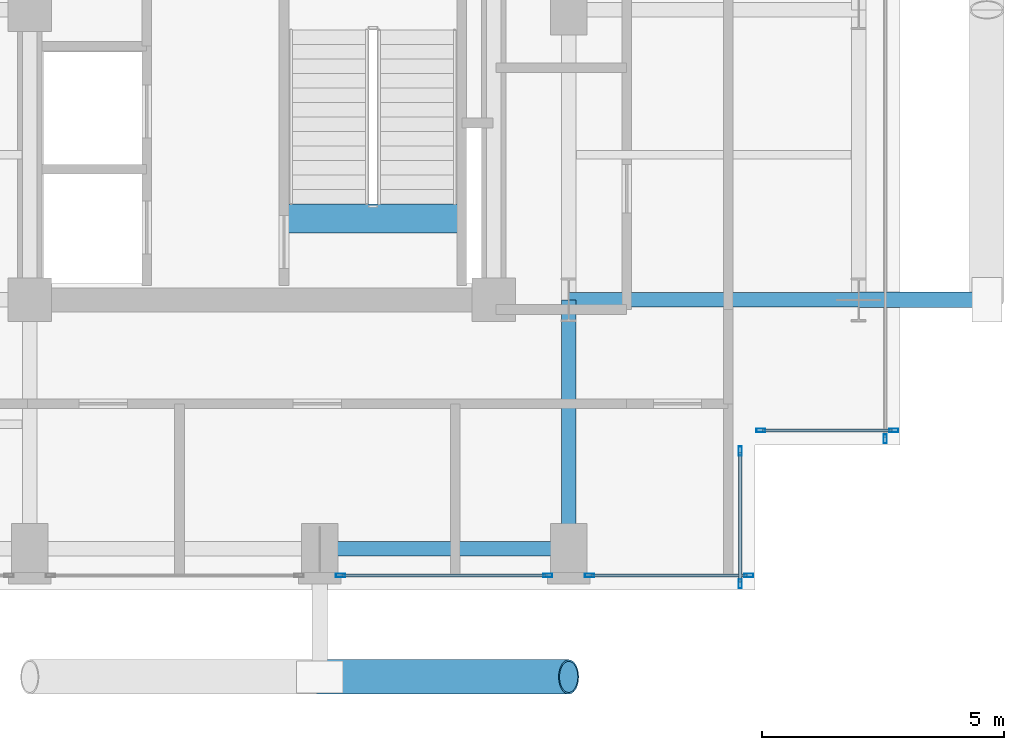
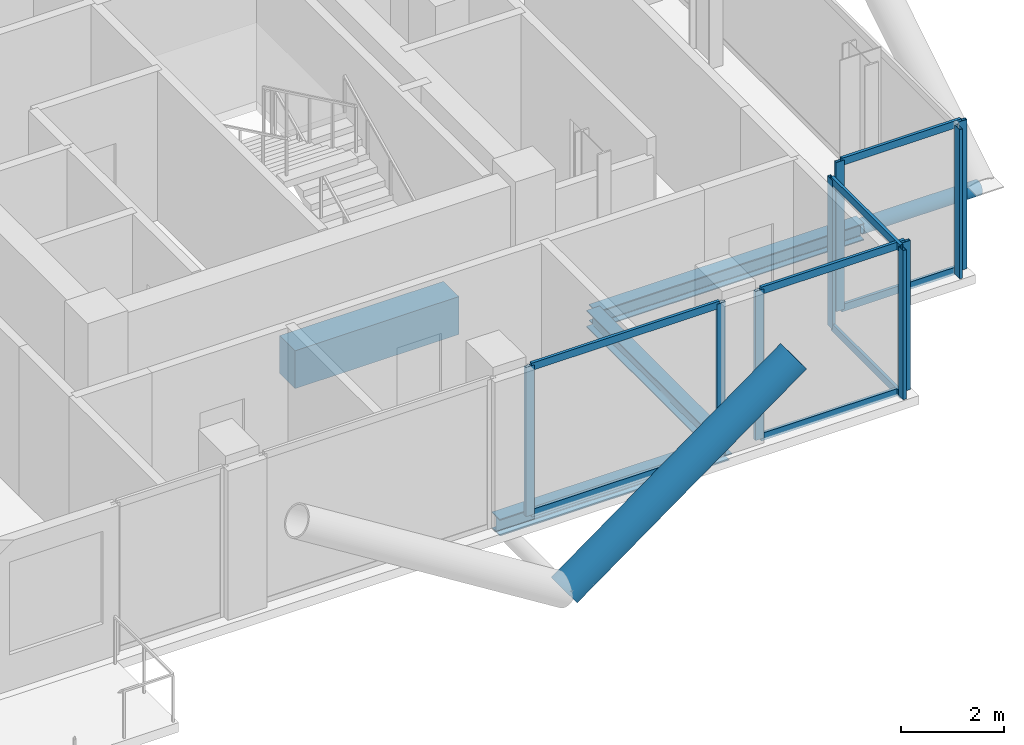
# One storey, part 10 of 22: 19 members, 4 beams, 5 elements without a shape of their own.
"""IFC4 building model written with IfcOpenShell, lengths in metres."""

from ifc_helpers import new_model, si_unit, direction, frame, origin, origin_2d, place, context, subcontext, project, spatial, rectangle, hollow_rectangle, hollow_circle, i_section, extrude, material, layer, layer_set, material_profile, profile_set, type_object, element, aggregate, save


model = new_model("IFC4")

# Units and contexts
model_context = context("Model", 3, precision=1e-05, world=origin(), true_north=direction((0.0, 1.0)))
body_context = subcontext(model_context, "Body", "Model", "MODEL_VIEW")
ifc_project = project(units=[si_unit("LENGTHUNIT", "METRE"), si_unit("AREAUNIT", "SQUARE_METRE"), si_unit("VOLUMEUNIT", "CUBIC_METRE"), si_unit("PLANEANGLEUNIT", "RADIAN"), si_unit("MASSUNIT", "GRAM", prefix="KILO"), si_unit("THERMODYNAMICTEMPERATUREUNIT", "KELVIN"), si_unit("POWERUNIT", "WATT")], contexts=[model_context])

# Site, building, storey
site_placement = place(None, origin())
site = spatial("IfcSite", under=ifc_project, at=site_placement, CompositionType="ELEMENT")
building_placement = place(site_placement, origin())
building = spatial("IfcBuilding", under=site, at=building_placement, Name="Svarakhadi Broadcast Tower", CompositionType="ELEMENT")
storey_placement = place(building_placement, frame((0.0, 0.0, 172.949951171875)))
storey = spatial("IfcBuildingStorey", under=building, at=storey_placement, Name="L42", CompositionType="ELEMENT", Elevation=172.949951171875)

# Curtain wall, member
ifc_material_1 = material(Name="Anodised Bronze Aluminium AA 6063-T6", Category="aluminium")
ifc_layer = layer(ifc_material_1, 0.18994140625)
ifc_layer_set = layer_set([ifc_layer], Name="Anodised Bronze Aluminium AA 6063-T6")
curtain_wall_type = type_object("IfcCurtainWallType", Name="CW_Sys_04", PredefinedType="NOTDEFINED", material=ifc_layer_set)
curtain_wall_1_placement = place(storey_placement, origin())
curtain_wall_1 = element("IfcCurtainWall", 1, at=curtain_wall_1_placement, inside=storey, type_object=curtain_wall_type, Name="L42 Unitised Facade Curtain Wall 13", PredefinedType="NOTDEFINED")
ifc_material_profile_1 = material_profile(ifc_material_1, hollow_rectangle(XDim=0.070068359375, YDim=0.18994140625, WallThickness=0.005615234375, at=origin_2d()), Name="ALU MULLION 190x70x6")
ifc_profile_set_1 = profile_set([ifc_material_profile_1], Name="Anodised Bronze Aluminium AA 6063-T6")
member_type_1 = type_object("IfcMemberType", Name="CW_Sys_04_Mul", PredefinedType="MULLION", material=ifc_profile_set_1)
member_1_placement = place(storey_placement, frame((41.699951171875, 3.125, 0.0), z_axis=(0.0, 0.0, 1.0), x_axis=(1.0, 0.0, 0.0)))
member_1 = element("IfcMember", 2, at=member_1_placement, type_object=member_type_1, Name="CW-04 mullion 2", PredefinedType="MULLION", context=body_context, shape_type="SweptSolid", body=[
    extrude(hollow_rectangle(XDim=0.070068359375, YDim=0.18994140625, WallThickness=0.005615234375, at=origin_2d()), origin(), (0.0, 0.0, 1.0), 3.5400390625),
])
aggregate(curtain_wall_1, [member_1])

# Curtain wall, members
curtain_wall_2_placement = place(storey_placement, origin())
curtain_wall_2 = element("IfcCurtainWall", 3, at=curtain_wall_2_placement, inside=storey, type_object=curtain_wall_type, Name="L42 Unitised Facade Curtain Wall 14", PredefinedType="NOTDEFINED")
member_2_placement = place(storey_placement, frame((41.875, 3.300048828125, 0.0), z_axis=(0.0, 0.0, 1.0), x_axis=(0.0, -1.0, 0.0)))
member_2 = element("IfcMember", 4, at=member_2_placement, type_object=member_type_1, Name="CW-04 mullion 1", PredefinedType="MULLION", context=body_context, shape_type="SweptSolid", body=[
    extrude(hollow_rectangle(XDim=0.070068359375, YDim=0.18994140625, WallThickness=0.005615234375, at=origin_2d()), origin(), (0.0, 0.0, 1.0), 3.5400390625),
])
member_3_placement = place(storey_placement, frame((39.125, 3.300048828125, 0.0), z_axis=(0.0, 0.0, 1.0), x_axis=(0.0, -1.0, 0.0)))
member_3 = element("IfcMember", 5, at=member_3_placement, type_object=member_type_1, Name="CW-04 mullion 2", PredefinedType="MULLION", context=body_context, shape_type="SweptSolid", body=[
    extrude(hollow_rectangle(XDim=0.070068359375, YDim=0.18994140625, WallThickness=0.005615234375, at=origin_2d()), origin(), (0.0, 0.0, 1.0), 3.5400390625),
])

curtain_wall_3_placement = place(storey_placement, origin())
curtain_wall_3 = element("IfcCurtainWall", 6, at=curtain_wall_3_placement, inside=storey, type_object=curtain_wall_type, Name="L42 Unitised Facade Curtain Wall 15", PredefinedType="NOTDEFINED")
member_4_placement = place(storey_placement, frame((38.699951171875, 2.875, 0.0), z_axis=(0.0, 0.0, 1.0), x_axis=(1.0, 0.0, 0.0)))
member_4 = element("IfcMember", 7, at=member_4_placement, type_object=member_type_1, Name="CW-04 mullion 1", PredefinedType="MULLION", context=body_context, shape_type="SweptSolid", body=[
    extrude(hollow_rectangle(XDim=0.070068359375, YDim=0.18994140625, WallThickness=0.005615234375, at=origin_2d()), origin(), (0.0, 0.0, 1.0), 3.5400390625),
])
member_5_placement = place(storey_placement, frame((38.699951171875, 0.125, 0.0), z_axis=(0.0, 0.0, 1.0), x_axis=(1.0, 0.0, 0.0)))
member_5 = element("IfcMember", 8, at=member_5_placement, type_object=member_type_1, Name="CW-04 mullion 2", PredefinedType="MULLION", context=body_context, shape_type="SweptSolid", body=[
    extrude(hollow_rectangle(XDim=0.070068359375, YDim=0.18994140625, WallThickness=0.005615234375, at=origin_2d()), origin(), (0.0, 0.0, 1.0), 3.5400390625),
])

curtain_wall_4_placement = place(storey_placement, origin())
curtain_wall_4 = element("IfcCurtainWall", 9, at=curtain_wall_4_placement, inside=storey, type_object=curtain_wall_type, Name="L42 South Curtain Wall 16 Bay 1", PredefinedType="NOTDEFINED")
member_6_placement = place(storey_placement, frame((38.875, 0.300048828125, 0.0), z_axis=(0.0, 0.0, 1.0), x_axis=(0.0, -1.0, 0.0)))
member_6 = element("IfcMember", 10, at=member_6_placement, type_object=member_type_1, Name="CW-04 mullion 1", PredefinedType="MULLION", context=body_context, shape_type="SweptSolid", body=[
    extrude(hollow_rectangle(XDim=0.070068359375, YDim=0.18994140625, WallThickness=0.005615234375, at=origin_2d()), origin(), (0.0, 0.0, 1.0), 3.5400390625),
])
member_7_placement = place(storey_placement, frame((35.580078125, 0.300048828125, 0.0), z_axis=(0.0, 0.0, 1.0), x_axis=(0.0, -1.0, 0.0)))
member_7 = element("IfcMember", 11, at=member_7_placement, type_object=member_type_1, Name="CW-04 mullion 2", PredefinedType="MULLION", context=body_context, shape_type="SweptSolid", body=[
    extrude(hollow_rectangle(XDim=0.070068359375, YDim=0.18994140625, WallThickness=0.005615234375, at=origin_2d()), origin(), (0.0, 0.0, 1.0), 3.5400390625),
])

curtain_wall_5_placement = place(storey_placement, origin())
curtain_wall_5 = element("IfcCurtainWall", 12, at=curtain_wall_5_placement, inside=storey, type_object=curtain_wall_type, Name="L42 South Curtain Wall 16 Bay 2", PredefinedType="NOTDEFINED")
member_8_placement = place(storey_placement, frame((34.719970703125, 0.300048828125, 0.0), z_axis=(0.0, 0.0, 1.0), x_axis=(0.0, -1.0, 0.0)))
member_8 = element("IfcMember", 13, at=member_8_placement, type_object=member_type_1, Name="CW-04 mullion 1", PredefinedType="MULLION", context=body_context, shape_type="SweptSolid", body=[
    extrude(hollow_rectangle(XDim=0.070068359375, YDim=0.18994140625, WallThickness=0.005615234375, at=origin_2d()), origin(), (0.0, 0.0, 1.0), 3.5400390625),
])
member_9_placement = place(storey_placement, frame((30.429931640625, 0.300048828125, 0.0), z_axis=(0.0, 0.0, 1.0), x_axis=(0.0, -1.0, 0.0)))
member_9 = element("IfcMember", 14, at=member_9_placement, type_object=member_type_1, Name="CW-04 mullion 2", PredefinedType="MULLION", context=body_context, shape_type="SweptSolid", body=[
    extrude(hollow_rectangle(XDim=0.070068359375, YDim=0.18994140625, WallThickness=0.005615234375, at=origin_2d()), origin(), (0.0, 0.0, 1.0), 3.5400390625),
])

# Member
ifc_material_profile_2 = material_profile(ifc_material_1, hollow_rectangle(XDim=0.06494140625, YDim=0.175048828125, WallThickness=0.0048828125, at=origin_2d()), Name="ALU TRANSOM 175x65x5")
ifc_profile_set_2 = profile_set([ifc_material_profile_2], Name="Anodised Bronze Aluminium AA 6063-T6")
member_type_2 = type_object("IfcMemberType", Name="CW_Sys_04_Trn", PredefinedType="USERDEFINED", material=ifc_profile_set_2)
member_10_placement = place(storey_placement, frame((41.840087890625, 3.300048828125, 0.032470703125), z_axis=(-1.0, 0.0, 0.0), x_axis=(0.0, -1.0, 0.0)))
member_10 = element("IfcMember", 15, at=member_10_placement, type_object=member_type_2, Name="CW-04 transom 1.1", ObjectType="TRANSOM", PredefinedType="USERDEFINED", context=body_context, shape_type="SweptSolid", body=[
    extrude(hollow_rectangle(XDim=0.06494140625, YDim=0.175048828125, WallThickness=0.0048828125, at=origin_2d()), origin(), (0.0, 0.0, 1.0), 2.68017578125),
])

member_11_placement = place(storey_placement, frame((41.840087890625, 3.300048828125, 3.507568359375), z_axis=(-1.0, 0.0, 0.0), x_axis=(0.0, -1.0, 0.0)))
member_11 = element("IfcMember", 16, at=member_11_placement, type_object=member_type_2, Name="CW-04 transom 1.2", ObjectType="TRANSOM", PredefinedType="USERDEFINED", context=body_context, shape_type="SweptSolid", body=[
    extrude(hollow_rectangle(XDim=0.06494140625, YDim=0.175048828125, WallThickness=0.0048828125, at=origin_2d()), origin(), (0.0, 0.0, 1.0), 2.68017578125),
])

aggregate(curtain_wall_2, [member_2, member_3, member_10, member_11])

member_12_placement = place(storey_placement, frame((38.699951171875, 2.840087890625, 0.032470703125), z_axis=(0.0, -1.0, 0.0), x_axis=(1.0, 0.0, 0.0)))
member_12 = element("IfcMember", 17, at=member_12_placement, type_object=member_type_2, Name="CW-04 transom 1.1", ObjectType="TRANSOM", PredefinedType="USERDEFINED", context=body_context, shape_type="SweptSolid", body=[
    extrude(hollow_rectangle(XDim=0.06494140625, YDim=0.175048828125, WallThickness=0.0048828125, at=origin_2d()), origin(), (0.0, 0.0, 1.0), 2.68017578125),
])

member_13_placement = place(storey_placement, frame((38.699951171875, 2.840087890625, 3.507568359375), z_axis=(0.0, -1.0, 0.0), x_axis=(1.0, 0.0, 0.0)))
member_13 = element("IfcMember", 18, at=member_13_placement, type_object=member_type_2, Name="CW-04 transom 1.2", ObjectType="TRANSOM", PredefinedType="USERDEFINED", context=body_context, shape_type="SweptSolid", body=[
    extrude(hollow_rectangle(XDim=0.06494140625, YDim=0.175048828125, WallThickness=0.0048828125, at=origin_2d()), origin(), (0.0, 0.0, 1.0), 2.68017578125),
])

aggregate(curtain_wall_3, [member_4, member_5, member_12, member_13])

member_14_placement = place(storey_placement, frame((38.840087890625, 0.300048828125, 0.032470703125), z_axis=(-1.0, 0.0, 0.0), x_axis=(0.0, -1.0, 0.0)))
member_14 = element("IfcMember", 19, at=member_14_placement, type_object=member_type_2, Name="CW-04 transom 1.1", ObjectType="TRANSOM", PredefinedType="USERDEFINED", context=body_context, shape_type="SweptSolid", body=[
    extrude(hollow_rectangle(XDim=0.06494140625, YDim=0.175048828125, WallThickness=0.0048828125, at=origin_2d()), origin(), (0.0, 0.0, 1.0), 3.22509765625),
])

member_15_placement = place(storey_placement, frame((38.840087890625, 0.300048828125, 3.507568359375), z_axis=(-1.0, 0.0, 0.0), x_axis=(0.0, -1.0, 0.0)))
member_15 = element("IfcMember", 20, at=member_15_placement, type_object=member_type_2, Name="CW-04 transom 1.2", ObjectType="TRANSOM", PredefinedType="USERDEFINED", context=body_context, shape_type="SweptSolid", body=[
    extrude(hollow_rectangle(XDim=0.06494140625, YDim=0.175048828125, WallThickness=0.0048828125, at=origin_2d()), origin(), (0.0, 0.0, 1.0), 3.22509765625),
])

aggregate(curtain_wall_4, [member_6, member_7, member_14, member_15])

member_16_placement = place(storey_placement, frame((34.68505859375, 0.300048828125, 0.032470703125), z_axis=(-1.0, 0.0, 0.0), x_axis=(0.0, -1.0, 0.0)))
member_16 = element("IfcMember", 21, at=member_16_placement, type_object=member_type_2, Name="CW-04 transom 1.1", ObjectType="TRANSOM", PredefinedType="USERDEFINED", context=body_context, shape_type="SweptSolid", body=[
    extrude(hollow_rectangle(XDim=0.06494140625, YDim=0.175048828125, WallThickness=0.0048828125, at=origin_2d()), origin(), (0.0, 0.0, 1.0), 4.219970703125),
])

member_17_placement = place(storey_placement, frame((34.68505859375, 0.300048828125, 3.507568359375), z_axis=(-1.0, 0.0, 0.0), x_axis=(0.0, -1.0, 0.0)))
member_17 = element("IfcMember", 22, at=member_17_placement, type_object=member_type_2, Name="CW-04 transom 1.2", ObjectType="TRANSOM", PredefinedType="USERDEFINED", context=body_context, shape_type="SweptSolid", body=[
    extrude(hollow_rectangle(XDim=0.06494140625, YDim=0.175048828125, WallThickness=0.0048828125, at=origin_2d()), origin(), (0.0, 0.0, 1.0), 4.219970703125),
])

aggregate(curtain_wall_5, [member_8, member_9, member_16, member_17])

# Beam
ifc_material_2 = material(Name="Concrete C50/60 (IS 456 M60)", Category="concrete")
ifc_material_profile_3 = material_profile(ifc_material_2, rectangle(XDim=0.60009765625, YDim=0.89990234375, at=origin_2d()), Name="RC 600x900")
ifc_profile_set_3 = profile_set([ifc_material_profile_3], Name="Concrete C50/60 (IS 456 M60)")
beam_type_1 = type_object("IfcBeamType", Name="Coupling_RC600", PredefinedType="USERDEFINED", material=ifc_profile_set_3)
beam_1_placement = place(storey_placement, frame((29.260009765625, 7.679931640625, -0.449951171875), z_axis=(1.0, 0.0, 0.0), x_axis=(0.0, 1.0, 0.0)))
element("IfcBeam", 23, at=beam_1_placement, inside=storey, type_object=beam_type_1, Name="L42 Stair ST-02 Landing Throat Trimmer Beam CB-01", ObjectType="GIRDER", PredefinedType="USERDEFINED", context=body_context, shape_type="SweptSolid", body=[
    extrude(rectangle(XDim=0.60009765625, YDim=0.89990234375, at=origin_2d()), origin(), (0.0, 0.0, 1.0), 3.679931640625),
])

# Members
ifc_material_3 = material(Name="Steel S460ML (IS 2062 E450BR)", Category="steel")
ifc_material_profile_4 = material_profile(ifc_material_3, hollow_circle(Radius=0.35546875, WallThickness=0.034912109375, at=origin_2d()), Name="CHS 711x35")
ifc_profile_set_4 = profile_set([ifc_material_profile_4], Name="Steel S460ML (IS 2062 E450BR)")
member_type_3 = type_object("IfcMemberType", Name="Exo_Brace_CHS711", PredefinedType="BRACE", material=ifc_profile_set_4)
member_18_placement = place(storey_placement, frame((30.0, -1.800048828125, -0.371826171875), z_axis=(0.808391243061, 0.0, 0.588645562407), x_axis=(0.0, 1.0, 0.0)))
element("IfcMember", 24, at=member_18_placement, inside=storey, type_object=member_type_3, Name="L42 Exposed Bronze Exoskeleton Diagonal S02", PredefinedType="BRACE", context=body_context, shape_type="SweptSolid", body=[
    extrude(hollow_circle(Radius=0.35546875, WallThickness=0.034912109375, at=origin_2d()), origin(), (0.0, 0.0, 1.0), 6.37060546875),
])
ifc_material_profile_5 = material_profile(ifc_material_3, hollow_circle(Radius=0.161865234375, WallThickness=0.01611328125, at=origin_2d()), Name="CHS 323.9x16")
ifc_profile_set_5 = profile_set([ifc_material_profile_5], Name="Steel S460ML (IS 2062 E450BR)")
member_type_4 = type_object("IfcMemberType", Name="Exo_Radial_Strut_Z2", PredefinedType="STRUT", material=ifc_profile_set_5)
member_19_placement = place(storey_placement, frame((43.800048828125, 6.0, -0.371826171875), z_axis=(-1.0, 0.0, 0.0), x_axis=(0.0, -1.0, 0.0)))
element("IfcMember", 25, at=member_19_placement, inside=storey, type_object=member_type_4, Name="L42 Exoskeleton Radial Tie Strut E07", PredefinedType="STRUT", context=body_context, shape_type="SweptSolid", body=[
    extrude(hollow_circle(Radius=0.161865234375, WallThickness=0.01611328125, at=origin_2d()), origin(), (0.0, 0.0, 1.0), 2.650146484375),
])

# Beams
ifc_material_4 = material(Name="Steel S355J2 (IS 2062 E350C)", Category="steel")
ifc_material_profile_6 = material_profile(ifc_material_4, i_section(OverallWidth=0.300048828125, OverallDepth=0.39990234375, WebThickness=0.013427734375, FlangeThickness=0.02392578125, FilletRadius=0.027099609375, at=origin_2d()), Name="WPB 400x300x155")
ifc_profile_set_6 = profile_set([ifc_material_profile_6], Name="Steel S355J2 (IS 2062 E350C)")
beam_type_2 = type_object("IfcBeamType", Name="Girder_WPB400", PredefinedType="USERDEFINED", material=ifc_profile_set_6)
beam_2_placement = place(storey_placement, frame((30.0, 0.85009765625, -0.409912109375), z_axis=(1.0, 0.0, 0.0), x_axis=(0.0, 1.0, 0.0)))
element("IfcBeam", 26, at=beam_2_placement, inside=storey, type_object=beam_type_2, Name="L42 Primary E-W Girder G008", ObjectType="GIRDER", PredefinedType="USERDEFINED", context=body_context, shape_type="SweptSolid", body=[
    extrude(i_section(OverallWidth=0.300048828125, OverallDepth=0.39990234375, WebThickness=0.013427734375, FlangeThickness=0.02392578125, FilletRadius=0.027099609375, at=origin_2d()), origin(), (0.0, 0.0, 1.0), 5.14990234375),
])
beam_3_placement = place(storey_placement, frame((35.14990234375, 6.0, -0.409912109375), z_axis=(1.0, 0.0, 0.0), x_axis=(0.0, 1.0, 0.0)))
element("IfcBeam", 27, at=beam_3_placement, inside=storey, type_object=beam_type_2, Name="L42 Primary E-W Girder G014", ObjectType="GIRDER", PredefinedType="USERDEFINED", context=body_context, shape_type="SweptSolid", body=[
    extrude(i_section(OverallWidth=0.300048828125, OverallDepth=0.39990234375, WebThickness=0.013427734375, FlangeThickness=0.02392578125, FilletRadius=0.027099609375, at=origin_2d()), origin(), (0.0, 0.0, 1.0), 6.0),
])
beam_4_placement = place(storey_placement, frame((35.14990234375, 0.85009765625, -0.409912109375), z_axis=(0.0, 1.0, 0.0), x_axis=(-1.0, 0.0, 0.0)))
element("IfcBeam", 28, at=beam_4_placement, inside=storey, type_object=beam_type_2, Name="L42 Primary N-S Girder G056", ObjectType="GIRDER", PredefinedType="USERDEFINED", context=body_context, shape_type="SweptSolid", body=[
    extrude(i_section(OverallWidth=0.300048828125, OverallDepth=0.39990234375, WebThickness=0.013427734375, FlangeThickness=0.02392578125, FilletRadius=0.027099609375, at=origin_2d()), origin(), (0.0, 0.0, 1.0), 5.14990234375),
])

save(model, "model.ifc")
